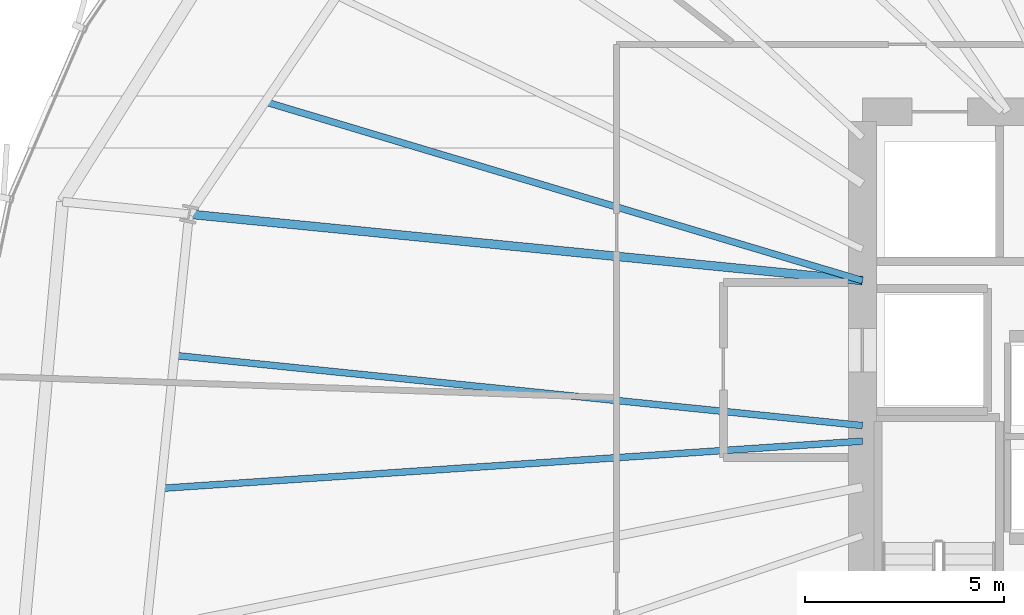
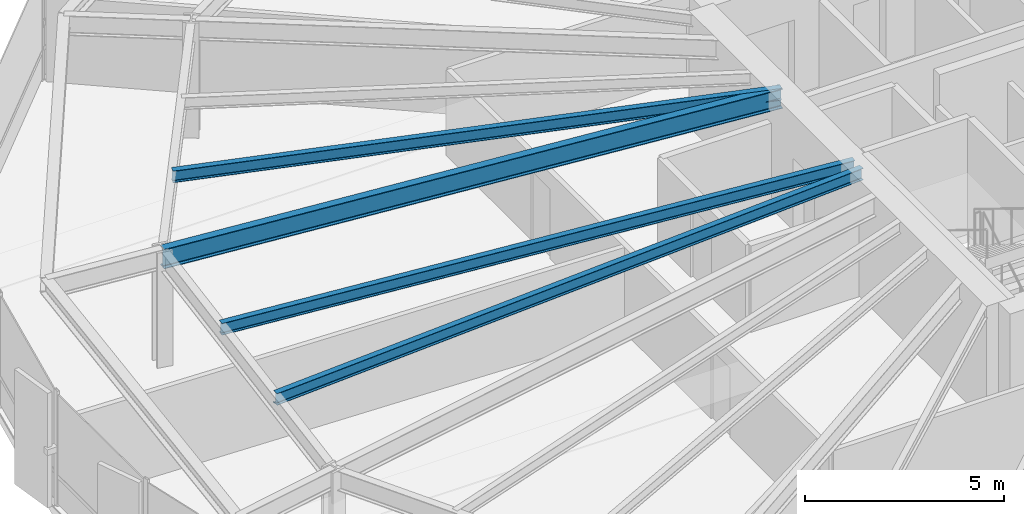
# One storey, part 10 of 37: 4 beams.
"""IFC4 building model written with IfcOpenShell, lengths in metres."""

from ifc_helpers import new_model, si_unit, direction, frame, origin, origin_2d, place, context, subcontext, project, spatial, i_section, extrude, source, transform, mapped, material, material_profile, profile_set, type_object, element, save


model = new_model("IFC4")

# Units and contexts
model_context = context("Model", 3, precision=1e-05, world=origin(), true_north=direction((0.0, 1.0)))
body_context = subcontext(model_context, "Body", "Model", "MODEL_VIEW")
ifc_project = project(units=[si_unit("LENGTHUNIT", "METRE"), si_unit("AREAUNIT", "SQUARE_METRE"), si_unit("VOLUMEUNIT", "CUBIC_METRE"), si_unit("PLANEANGLEUNIT", "RADIAN"), si_unit("MASSUNIT", "GRAM", prefix="KILO"), si_unit("THERMODYNAMICTEMPERATUREUNIT", "KELVIN")], contexts=[model_context])

# Site, building, storey
site_placement = place(None, origin())
site = spatial("IfcSite", under=ifc_project, at=site_placement, CompositionType="ELEMENT")
building_placement = place(site_placement, origin())
building = spatial("IfcBuilding", under=site, at=building_placement, Name="Kethvar Cultural Tower", CompositionType="ELEMENT")
storey_placement = place(building_placement, frame((0.0, 0.0, 56.199951171875)))
storey = spatial("IfcBuildingStorey", under=building, at=storey_placement, Name="L13", CompositionType="ELEMENT", Elevation=56.199951171875)

# Beams
ifc_material = material(Name="Steel S355J2", Category="steel")
ifc_material_profile_1 = material_profile(ifc_material, i_section(OverallWidth=0.219970703125, OverallDepth=0.60009765625, WebThickness=0.011962890625, FlangeThickness=0.01904296875, FilletRadius=0.02392578125, at=origin_2d()), Name="Steel S355J2 — IPE600")
ifc_profile_set_1 = profile_set([ifc_material_profile_1], Name="Steel S355J2 — IPE600")
beam_type_1 = type_object("IfcBeamType", Name="BM-IPE600", PredefinedType="BEAM", material=ifc_profile_set_1)
shared_shape_1 = source(origin(), body_context, "Body", "SweptSolid", [
    extrude(i_section(OverallWidth=0.219970703125, OverallDepth=0.60009765625, WebThickness=0.011962890625, FlangeThickness=0.01904296875, FilletRadius=0.02392578125, at=origin_2d()), origin(), (0.0, 0.0, 1.0), 17.03515625),
])
beam_1_placement = place(storey_placement, frame((38.0, 31.25, 3.248046875), z_axis=(-0.995168138859, 0.098185413375, 0.0), x_axis=(-0.098185413375, -0.995168138859, 0.0)))
element("IfcBeam", 1, at=beam_1_placement, inside=storey, type_object=beam_type_1, Name="L13 Primary Radial Beam RB-08", PredefinedType="BEAM", context=body_context, shape_type="MappedRepresentation", body=[
    mapped(shared_shape_1, transform((0.0, 0.0, 0.0), scale=1.0)),
])
ifc_material_profile_2 = material_profile(ifc_material, i_section(OverallWidth=0.169921875, OverallDepth=0.360107421875, WebThickness=0.008056640625, FlangeThickness=0.0126953125, FilletRadius=0.01806640625, at=origin_2d()), Name="Steel S355J2 — IPE360")
ifc_profile_set_2 = profile_set([ifc_material_profile_2], Name="Steel S355J2 — IPE360")
beam_type_2 = type_object("IfcBeamType", Name="BM-J360", PredefinedType="JOIST", material=ifc_profile_set_2)
shared_shape_2 = source(origin(), body_context, "Body", "SweptSolid", [
    extrude(i_section(OverallWidth=0.169921875, OverallDepth=0.360107421875, WebThickness=0.008056640625, FlangeThickness=0.0126953125, FilletRadius=0.01806640625, at=origin_2d()), origin(), (0.0, 0.0, 1.0), 15.6953125),
])
beam_2_placement = place(storey_placement, frame((38.0, 31.25, 3.3681640625), z_axis=(-0.958003344758, 0.28675702508, 0.0), x_axis=(-0.28675702508, -0.958003344758, 0.0)))
element("IfcBeam", 2, at=beam_2_placement, inside=storey, type_object=beam_type_2, Name="L13 Composite Floor Joist J-07B", PredefinedType="JOIST", context=body_context, shape_type="MappedRepresentation", body=[
    mapped(shared_shape_2, transform((0.0, 0.0, 0.0), scale=1.0)),
])
shared_shape_3 = source(origin(), body_context, "Body", "SweptSolid", [
    extrude(i_section(OverallWidth=0.169921875, OverallDepth=0.360107421875, WebThickness=0.008056640625, FlangeThickness=0.0126953125, FilletRadius=0.01806640625, at=origin_2d()), origin(), (0.0, 0.0, 1.0), 17.410400390625),
])
beam_3_placement = place(storey_placement, frame((38.0, 27.60009765625, 3.3681640625), z_axis=(-0.99484162516, 0.101440331474, 0.0), x_axis=(-0.101440331474, -0.99484162516, 0.0)))
element("IfcBeam", 3, at=beam_3_placement, inside=storey, type_object=beam_type_2, Name="L13 Composite Floor Joist J-08A", PredefinedType="JOIST", context=body_context, shape_type="MappedRepresentation", body=[
    mapped(shared_shape_3, transform((0.0, 0.0, 0.0), scale=1.0)),
])
shared_shape_4 = source(origin(), body_context, "Body", "SweptSolid", [
    extrude(i_section(OverallWidth=0.169921875, OverallDepth=0.360107421875, WebThickness=0.008056640625, FlangeThickness=0.0126953125, FilletRadius=0.01806640625, at=origin_2d()), origin(), (0.0, 0.0, 1.0), 17.70654296875),
])
beam_4_placement = place(storey_placement, frame((38.0, 27.207763671875, 3.3681640625), z_axis=(-0.997742984455, -0.067148618533, 0.0), x_axis=(0.067148618533, -0.997742984455, 0.0)))
element("IfcBeam", 4, at=beam_4_placement, inside=storey, type_object=beam_type_2, Name="L13 Composite Floor Joist J-08B", PredefinedType="JOIST", context=body_context, shape_type="MappedRepresentation", body=[
    mapped(shared_shape_4, transform((0.0, 0.0, 0.0), scale=1.0)),
])

save(model, "model.ifc")
